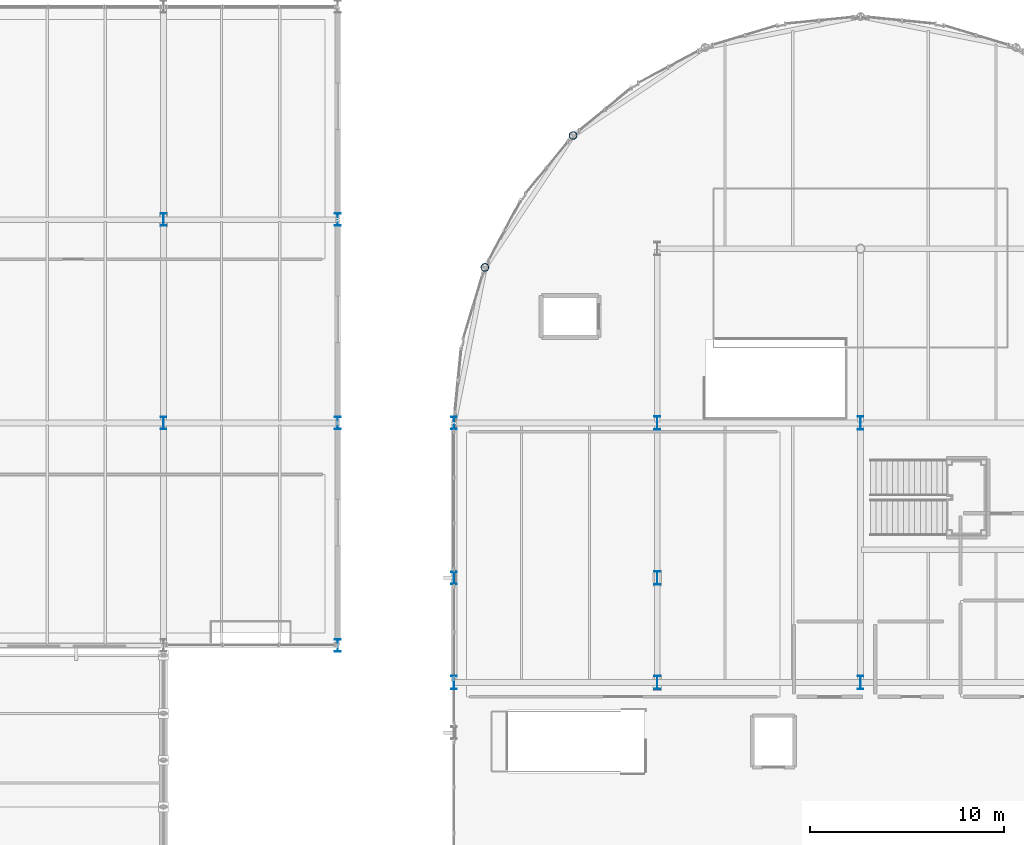
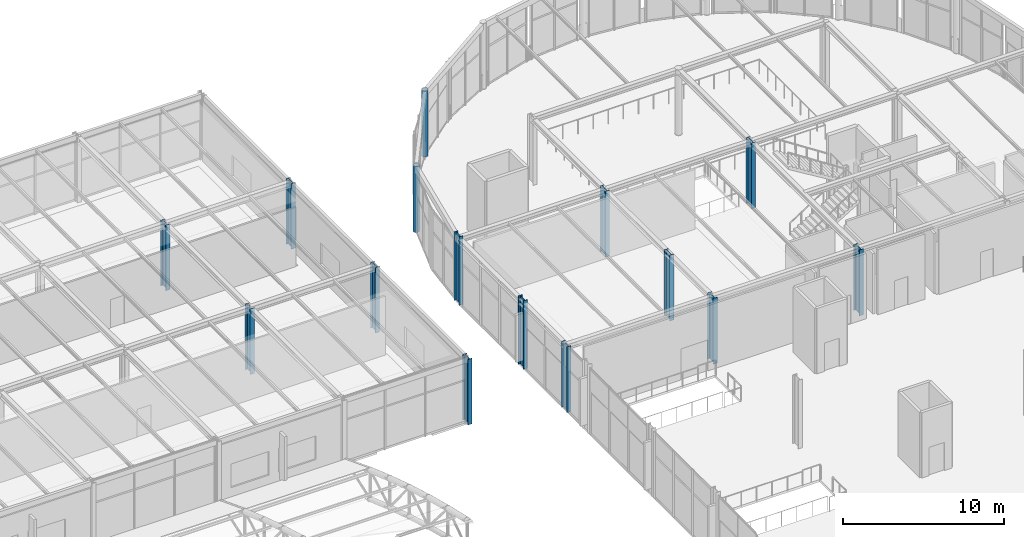
# One storey, part 6 of 195: 15 columns.
"""IFC4 building model written with IfcOpenShell, lengths in metres."""

from ifc_helpers import new_model, si_unit, direction, frame, origin, origin_2d, place, context, subcontext, project, spatial, hollow_circle, i_section, extrude, material, material_profile, profile_set, type_object, element, save


model = new_model("IFC4")

# Units and contexts
model_context = context("Model", 3, precision=1e-05, world=origin(), true_north=direction((0.0, 1.0)))
body_context = subcontext(model_context, "Body", "Model", "MODEL_VIEW")
ifc_project = project(units=[si_unit("LENGTHUNIT", "METRE"), si_unit("AREAUNIT", "SQUARE_METRE"), si_unit("VOLUMEUNIT", "CUBIC_METRE"), si_unit("PLANEANGLEUNIT", "RADIAN"), si_unit("MASSUNIT", "GRAM", prefix="KILO")], contexts=[model_context])

# Site, building, storey
site_placement = place(None, origin())
site = spatial("IfcSite", under=ifc_project, at=site_placement, CompositionType="ELEMENT")
building_placement = place(site_placement, origin())
building = spatial("IfcBuilding", under=site, at=building_placement, Name="Marlcrest Central Station", CompositionType="ELEMENT")
storey_placement = place(building_placement, frame((0.0, 0.0, 9.800048828125)))
storey = spatial("IfcBuildingStorey", under=building, at=storey_placement, Name="L02", CompositionType="ELEMENT", Elevation=9.800048828125)

# Columns
ifc_material = material(Name="Steel S355", Category="steel")
ifc_material_profile_1 = material_profile(ifc_material, i_section(OverallWidth=0.300048828125, OverallDepth=0.64990234375, WebThickness=0.01611328125, FlangeThickness=0.031005859375, FilletRadius=0.027099609375, at=origin_2d()), Name="HEB 650")
ifc_profile_set_1 = profile_set([ifc_material_profile_1], Name="Steel S355")
column_type_1 = type_object("IfcColumnType", Name="SC-06", PredefinedType="COLUMN", material=ifc_profile_set_1)
for number, where, z_axis, x_axis, name in (
    (1, (72.0, 110.5, 0.0), (0.0, 0.0, 1.0), (1.0, 0.0, 0.0), "col-SC-06-L02-0150"),
    (2, (72.0, 121.0, 0.0), (0.0, 0.0, 1.0), (1.0, 0.0, 0.0), "col-SC-06-L02-0151"),
    (3, (81.0, 99.0, 0.0), (0.0, 0.0, 1.0), (1.0, 0.0, 0.0), "col-SC-06-L02-0153"),
    (4, (81.0, 110.5, 0.0), (0.0, 0.0, 1.0), (1.0, 0.0, 0.0), "col-SC-06-L02-0154"),
    (5, (81.0, 121.0, 0.0), (0.0, 0.0, 1.0), (1.0, 0.0, 0.0), "col-SC-06-L02-0155"),
):
    element("IfcColumn", number, at=place(storey_placement, frame(where, z_axis=z_axis, x_axis=x_axis)), inside=storey, type_object=column_type_1, Name=name, PredefinedType="COLUMN", context=body_context, shape_type="SweptSolid", body=[
        extrude(i_section(OverallWidth=0.300048828125, OverallDepth=0.64990234375, WebThickness=0.01611328125, FlangeThickness=0.031005859375, FilletRadius=0.027099609375, at=origin_2d()), origin(), (0.0, 0.0, 1.0), 4.974853515625),
    ])
for number, where, z_axis, x_axis, name in (
    (6, (87.0, 102.5, 0.0), (0.0, 0.0, 1.0), (1.0, 0.0, 0.0), "col-SC-06-L02-0761"),
    (7, (87.0, 110.5, 0.0), (0.0, 0.0, 1.0), (1.0, 0.0, 0.0), "col-SC-06-L02-0779"),
):
    element("IfcColumn", number, at=place(storey_placement, frame(where, z_axis=z_axis, x_axis=x_axis)), inside=storey, type_object=column_type_1, Name=name, PredefinedType="COLUMN", context=body_context, shape_type="SweptSolid", body=[
        extrude(i_section(OverallWidth=0.300048828125, OverallDepth=0.64990234375, WebThickness=0.01611328125, FlangeThickness=0.031005859375, FilletRadius=0.027099609375, at=origin_2d()), origin(), (0.0, 0.0, 1.0), 5.199951171875),
    ])
ifc_material_profile_2 = material_profile(ifc_material, i_section(OverallWidth=0.300048828125, OverallDepth=0.699951171875, WebThickness=0.01708984375, FlangeThickness=0.031982421875, FilletRadius=0.027099609375, at=origin_2d()), Name="HEB 700")
ifc_profile_set_2 = profile_set([ifc_material_profile_2], Name="Steel S355")
column_type_2 = type_object("IfcColumnType", Name="SC-07", PredefinedType="COLUMN", material=ifc_profile_set_2)
for number, where, z_axis, x_axis, name in (
    (8, (97.5, 102.5, 0.0), (0.0, 0.0, 1.0), (1.0, 0.0, 0.0), "col-SC-07-L02-0763"),
    (9, (97.5, 110.5, 0.0), (0.0, 0.0, 1.0), (1.0, 0.0, 0.0), "col-SC-07-L02-0781"),
):
    element("IfcColumn", number, at=place(storey_placement, frame(where, z_axis=z_axis, x_axis=x_axis)), inside=storey, type_object=column_type_2, Name=name, PredefinedType="COLUMN", context=body_context, shape_type="SweptSolid", body=[
        extrude(i_section(OverallWidth=0.300048828125, OverallDepth=0.699951171875, WebThickness=0.01708984375, FlangeThickness=0.031982421875, FilletRadius=0.027099609375, at=origin_2d()), origin(), (0.0, 0.0, 1.0), 5.0),
    ])
for number, where, z_axis, x_axis, name in (
    (10, (108.0, 110.5, 0.0), (0.0, 0.0, 1.0), (1.0, 0.0, 0.0), "col-SC-07-L02-0883"),
    (11, (87.0, 97.10009765625, 0.0), (0.0, 0.0, 1.0), (1.0, 0.0, 0.0), "col-SC-07-L02-0886"),
    (12, (97.5, 97.10009765625, 0.0), (0.0, 0.0, 1.0), (1.0, 0.0, 0.0), "col-SC-07-L02-0889"),
    (13, (108.0, 97.10009765625, 0.0), (0.0, 0.0, 1.0), (1.0, 0.0, 0.0), "col-SC-07-L02-0892"),
):
    element("IfcColumn", number, at=place(storey_placement, frame(where, z_axis=z_axis, x_axis=x_axis)), inside=storey, type_object=column_type_2, Name=name, PredefinedType="COLUMN", context=body_context, shape_type="SweptSolid", body=[
        extrude(i_section(OverallWidth=0.300048828125, OverallDepth=0.699951171875, WebThickness=0.01708984375, FlangeThickness=0.031982421875, FilletRadius=0.027099609375, at=origin_2d()), origin(), (0.0, 0.0, 1.0), 4.994873046875),
    ])
ifc_material_profile_3 = material_profile(ifc_material, hollow_circle(Radius=0.203125, WallThickness=0.02001953125, at=origin_2d()), Name="CHS 406.4x20")
ifc_profile_set_3 = profile_set([ifc_material_profile_3], Name="Steel S355")
column_type_3 = type_object("IfcColumnType", Name="SC-10", PredefinedType="COLUMN", material=ifc_profile_set_3)
for number, where, z_axis, x_axis, name in (
    (14, (88.59912109375, 118.535888671875, 0.0), (0.0, 0.0, 1.0), (1.0, 0.0, 0.0), "col-SC-10-L02-0845"),
    (15, (93.15087890625, 125.34912109375, 0.0), (0.0, 0.0, 1.0), (1.0, 0.0, 0.0), "col-SC-10-L02-0849"),
):
    element("IfcColumn", number, at=place(storey_placement, frame(where, z_axis=z_axis, x_axis=x_axis)), inside=storey, type_object=column_type_3, Name=name, PredefinedType="COLUMN", context=body_context, shape_type="SweptSolid", body=[
        extrude(hollow_circle(Radius=0.203125, WallThickness=0.02001953125, at=origin_2d()), origin(), (0.0, 0.0, 1.0), 5.010009765625),
    ])

save(model, "model.ifc")
